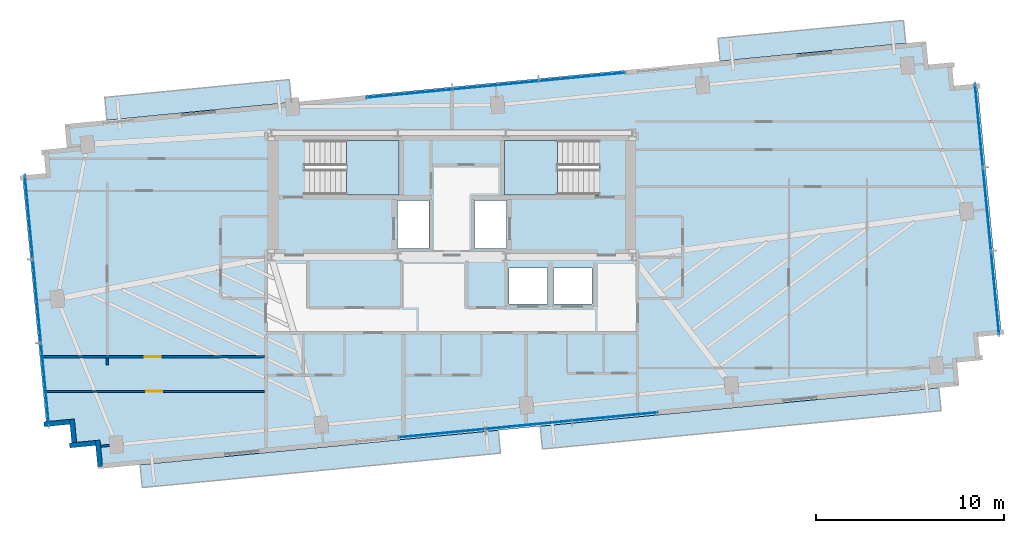
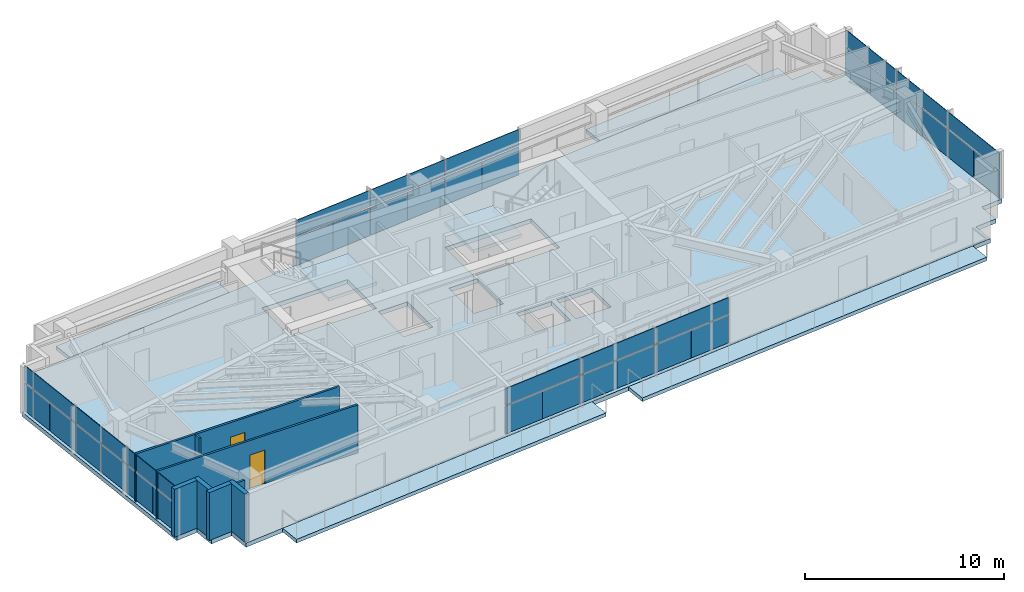
# One storey, part 12 of 18: 36 plates, 8 walls, 7 slabs, 2 doors, 2 openings, 6 elements without a shape of their own.
"""IFC4 building model written with IfcOpenShell, lengths in metres."""

import ifcopenshell
import ifcopenshell.guid

model = None  # the IFC model being written
_history = None  # IfcOwnerHistory: only IFC2X3 demands one
_inside = {}  # id of a spatial element -> (the spatial element, [elements in it])
_under = {}  # id of a project, library or spatial element -> (it, [spatial elements below it])
_declared = {}  # id of a project -> (the project, [libraries it declares])
_typed = {}  # id of a type object -> (the type object, [elements of that type])
_made_of = {}  # id of a material, layer set ... -> (it, [elements and type objects made of it])


def new_model(schema):
    """Start an empty IFC model of exactly this schema.

    Asked for "IFC4X3", IfcOpenShell would pick the latest addendum, in which some entities
    have other attributes; the version numbers below select the first issue.
    IFC2X3 requires an IfcOwnerHistory on every rooted entity: one is made here for all.
    """
    global model, _history
    if schema == "IFC4X3":
        model = ifcopenshell.file(schema_version=(4, 3, 0, 0))
    else:
        model = ifcopenshell.file(schema=schema)
    _inside.clear()
    _under.clear()
    _declared.clear()
    _typed.clear()
    _made_of.clear()
    _history = None
    if model.schema == "IFC2X3":
        org = make("IfcOrganization", Name="unknown")
        user = make(
            "IfcPersonAndOrganization",
            ThePerson=make("IfcPerson", FamilyName="unknown"),
            TheOrganization=org,
        )
        app = make(
            "IfcApplication",
            ApplicationDeveloper=org,
            Version="unknown",
            ApplicationFullName="unknown",
            ApplicationIdentifier="unknown",
        )
        _history = make(
            "IfcOwnerHistory",
            OwningUser=user,
            OwningApplication=app,
            ChangeAction="ADDED",
            CreationDate=0,
        )
    return model


def make(cls, **values):
    """One entity of the class cls with the attributes given. An attribute that is None is left unset."""
    return model.create_entity(
        cls, **{name: value for name, value in values.items() if value is not None}
    )


def rooted(cls, **values):
    """An entity with a GlobalId (a new one), such as an element, a storey or a relation."""
    return make(cls, GlobalId=ifcopenshell.guid.new(), OwnerHistory=_history, **values)


def si_unit(unit_type, name, prefix=None):
    """IfcSIUnit, for example si_unit("LENGTHUNIT", "METRE", prefix="MILLI")."""
    return make("IfcSIUnit", UnitType=unit_type, Prefix=prefix, Name=name)


def assignment(units):
    """IfcUnitAssignment: the units of a project."""
    return None if units is None else make("IfcUnitAssignment", Units=units)


def point(xyz):
    """IfcCartesianPoint."""
    return None if xyz is None else make("IfcCartesianPoint", Coordinates=xyz)


def direction(xyz):
    """IfcDirection."""
    return None if xyz is None else make("IfcDirection", DirectionRatios=xyz)


def frame(location, z_axis=None, x_axis=None):
    """IfcAxis2Placement3D, a coordinate frame: its origin and axes. An axis left out is left unset."""
    return make(
        "IfcAxis2Placement3D",
        Location=point(location),
        Axis=direction(z_axis),
        RefDirection=direction(x_axis),
    )


def frame_2d(location, x_axis=None):
    """IfcAxis2Placement2D, a coordinate frame in the plane: its origin and x axis."""
    return make(
        "IfcAxis2Placement2D", Location=point(location), RefDirection=direction(x_axis)
    )


def origin():
    """The frame at (0, 0, 0) with its axes left unset."""
    return frame((0.0, 0.0, 0.0))


def origin_2d():
    """The frame at (0, 0) in the plane with its x axis left unset."""
    return frame_2d((0.0, 0.0))


def place(relative_to, where):
    """IfcLocalPlacement: puts the frame where relative to a parent placement (None: the world)."""
    return make(
        "IfcLocalPlacement", PlacementRelTo=relative_to, RelativePlacement=where
    )


def context(
    kind, dimensions, precision=None, world=None, true_north=None, identifier=None
):
    """IfcGeometricRepresentationContext, for example the 3D "Model" context."""
    return make(
        "IfcGeometricRepresentationContext",
        ContextIdentifier=identifier,
        ContextType=kind,
        CoordinateSpaceDimension=dimensions,
        Precision=precision,
        WorldCoordinateSystem=world,
        TrueNorth=true_north,
    )


def subcontext(parent, identifier, kind, view, scale=None):
    """IfcGeometricRepresentationSubContext, for example "Body" below "Model"."""
    return make(
        "IfcGeometricRepresentationSubContext",
        ContextIdentifier=identifier,
        ContextType=kind,
        ParentContext=parent,
        TargetScale=scale,
        TargetView=view,
    )


def project(units=None, contexts=None):
    """IfcProject with its units and contexts."""
    return rooted(
        "IfcProject",
        Name="project",
        RepresentationContexts=contexts,
        UnitsInContext=assignment(units),
    )


def spatial(cls, under=None, at=None, **own):
    """A site, building, storey or space (cls), placed at a placement, below another one or the project."""
    s = rooted(cls, ObjectPlacement=at, **own)
    if under is not None:
        _under.setdefault(under.id(), (under, []))[1].append(s)
    return s


def polyline(points):
    """IfcPolyline through the points."""
    return make("IfcPolyline", Points=[point(p) for p in points])


def profile(cls, at=None, kind="AREA", **sizes):
    """A parametric profile (cls). Its sizes go by their IFC names, for example OverallWidth=200.0."""
    return make(cls, ProfileType=kind, Position=at, **sizes)


def rectangle(**sizes):
    """IfcRectangleProfileDef."""
    return profile("IfcRectangleProfileDef", **sizes)


def outline(outer, holes=None, kind="AREA"):
    """IfcArbitraryClosedProfileDef: a profile drawn as a closed curve; with holes, ...WithVoids."""
    if holes is None:
        return make("IfcArbitraryClosedProfileDef", ProfileType=kind, OuterCurve=outer)
    return make(
        "IfcArbitraryProfileDefWithVoids",
        ProfileType=kind,
        OuterCurve=outer,
        InnerCurves=holes,
    )


def extrude(swept, where, along, depth):
    """IfcExtrudedAreaSolid: the profile swept, set in the frame where, extruded along a direction by depth."""
    return make(
        "IfcExtrudedAreaSolid",
        SweptArea=swept,
        Position=where,
        ExtrudedDirection=direction(along),
        Depth=depth,
    )


def shape(context_of_items, identifier, shape_type, items):
    """IfcShapeRepresentation: the items that make up one representation, for example the "Body"."""
    return make(
        "IfcShapeRepresentation",
        ContextOfItems=context_of_items,
        RepresentationIdentifier=identifier,
        RepresentationType=shape_type,
        Items=items,
    )


def source(mapping_origin, context_of_items, identifier, shape_type, items):
    """IfcRepresentationMap: a shape defined once, which mapped items show again and again."""
    return make(
        "IfcRepresentationMap",
        MappingOrigin=mapping_origin,
        MappedRepresentation=shape(context_of_items, identifier, shape_type, items),
    )


def transform(
    local_origin,
    x_axis=None,
    y_axis=None,
    z_axis=None,
    scale=None,
    scale2=None,
    scale3=None,
    uniform=True,
):
    """IfcCartesianTransformationOperator3D, or its non-uniform kind. x_axis, y_axis, z_axis: its Axis1, 2, 3."""
    if uniform:
        return make(
            "IfcCartesianTransformationOperator3D",
            Axis1=direction(x_axis),
            Axis2=direction(y_axis),
            LocalOrigin=point(local_origin),
            Scale=scale,
            Axis3=direction(z_axis),
        )
    return make(
        "IfcCartesianTransformationOperator3DnonUniform",
        Axis1=direction(x_axis),
        Axis2=direction(y_axis),
        LocalOrigin=point(local_origin),
        Scale=scale,
        Axis3=direction(z_axis),
        Scale2=scale2,
        Scale3=scale3,
    )


def mapped(mapping_source, mapping_target):
    """IfcMappedItem: shows the shape of a source again, moved by a transform."""
    return make(
        "IfcMappedItem", MappingSource=mapping_source, MappingTarget=mapping_target
    )


def material(Name=None, Category=None):
    """IfcMaterial."""
    return make("IfcMaterial", Name=Name, Category=Category)


def layer(
    of_material, thickness, ventilated=None, Name=None, Category=None, Priority=None
):
    """IfcMaterialLayer: one layer of a wall or slab, of a material (None: an air gap)."""
    return make(
        "IfcMaterialLayer",
        Material=of_material,
        LayerThickness=thickness,
        IsVentilated=ventilated,
        Name=Name,
        Category=Category,
        Priority=Priority,
    )


def layer_set(layers, Name=None):
    """IfcMaterialLayerSet."""
    return make("IfcMaterialLayerSet", MaterialLayers=layers, LayerSetName=Name)


def made_of(thing, what):
    """Note that an element or type object is made of a material, layer set ...; save() writes the relation."""
    if what is not None:
        _made_of.setdefault(what.id(), (what, []))[1].append(thing)
    return thing


def type_object(cls, material=None, **own):
    """A type object (cls), such as IfcWallType, which elements share."""
    return made_of(rooted(cls, **own), material)


def type_shapes(of_type, sources):
    """Give a type object the sources (RepresentationMaps) that its elements show as mapped items."""
    of_type.RepresentationMaps = sources


def element(
    cls,
    number,
    at=None,
    inside=None,
    cuts=None,
    type_object=None,
    material=None,
    context=None,
    identifier="Body",
    shape_type=None,
    held_by="IfcProductDefinitionShape",
    body=None,
    shapes=None,
    **own,
):
    """One element of the class cls, such as IfcWall. Its Tag is "e" and its number.

    at: its placement. inside: the storey or other place that contains it. cuts: it is an
    opening in that element (IfcRelVoidsElement). A single representation is given by context,
    identifier, shape_type and body (its items); several are given by shapes. held_by: the class
    of the entity that holds the representations. save() writes the other relations.
    """
    e = rooted(cls, Tag="e%d" % number, ObjectPlacement=at, **own)
    if body is not None:
        shapes = [shape(context, identifier, shape_type, body)]
    if shapes is not None:
        e.Representation = make(held_by, Representations=shapes)
    if inside is not None:
        _inside.setdefault(inside.id(), (inside, []))[1].append(e)
    if cuts is not None:
        rooted(
            "IfcRelVoidsElement", RelatingBuildingElement=cuts, RelatedOpeningElement=e
        )
    if type_object is not None:
        _typed.setdefault(type_object.id(), (type_object, []))[1].append(e)
    return made_of(e, material)


def fill(opening, filler):
    """IfcRelFillsElement: the door or window that sits in an opening."""
    return rooted(
        "IfcRelFillsElement",
        RelatingOpeningElement=opening,
        RelatedBuildingElement=filler,
    )


def aggregate(whole, parts):
    """IfcRelAggregates: a whole, such as a stair, and the parts it consists of."""
    return rooted("IfcRelAggregates", RelatingObject=whole, RelatedObjects=parts)


def save(model, path):
    """Write the relations noted so far, then the file.

    IfcRelAggregates (storeys below a building ...), IfcRelContainedInSpatialStructure (elements
    in a storey), IfcRelDefinesByType, IfcRelAssociatesMaterial and IfcRelDeclares: one each for
    every whole, place, type object, material and project.
    """
    for whole, parts in _under.values():
        aggregate(whole, parts)
    for where, things in _inside.values():
        rooted(
            "IfcRelContainedInSpatialStructure",
            RelatedElements=things,
            RelatingStructure=where,
        )
    for kind, things in _typed.values():
        rooted("IfcRelDefinesByType", RelatedObjects=things, RelatingType=kind)
    for what, things in _made_of.values():
        rooted("IfcRelAssociatesMaterial", RelatedObjects=things, RelatingMaterial=what)
    for by, libraries in _declared.values():
        rooted("IfcRelDeclares", RelatingContext=by, RelatedDefinitions=libraries)
    model.write(path)


model = new_model("IFC4")

# Units and contexts
model_context = context("Model", 3, precision=1e-05, world=origin(), true_north=direction((0.0, 1.0)))
body_context = subcontext(model_context, "Body", "Model", "MODEL_VIEW")
ifc_project = project(units=[si_unit("LENGTHUNIT", "METRE"), si_unit("AREAUNIT", "SQUARE_METRE"), si_unit("VOLUMEUNIT", "CUBIC_METRE"), si_unit("PLANEANGLEUNIT", "RADIAN"), si_unit("MASSUNIT", "GRAM", prefix="KILO")], contexts=[model_context])

# Site, building, storey
site_placement = place(None, origin())
site = spatial("IfcSite", under=ifc_project, at=site_placement, CompositionType="ELEMENT")
building_placement = place(site_placement, origin())
building = spatial("IfcBuilding", under=site, at=building_placement, Name="Astriad Promenade Condominiums", CompositionType="ELEMENT")
storey_placement = place(building_placement, frame((0.0, 0.0, 198.60009765625)))
storey = spatial("IfcBuildingStorey", under=building, at=storey_placement, Name="L57", CompositionType="ELEMENT", Elevation=198.60009765625)

# Slab
ifc_material_1 = material(Name="Concrete C50/60", Category="concrete")
ifc_layer_1 = layer(ifc_material_1, 0.260009765625)
ifc_layer_set_1 = layer_set([ifc_layer_1], Name="Concrete C50/60")
slab_type_1 = type_object("IfcSlabType", Name="CONCRETE TOWER FLOOR SLAB 260", PredefinedType="FLOOR", material=ifc_layer_set_1)
slab_1_placement = place(storey_placement, frame((0.0, 0.0, -0.260009765625)))
element("IfcSlab", 1, at=slab_1_placement, inside=storey, type_object=slab_type_1, Name="Structural Floor Slab (L57)", PredefinedType="FLOOR", context=body_context, shape_type="SweptSolid", body=[
    extrude(outline(polyline([(17.187744140625, 6.137939453125), (62.975830078125, 10.546875), (62.856201171875, 11.791015625), (64.100341796875, 11.910888671875), (63.98046875, 13.155029296875), (65.224853515625, 13.27490234375), (63.9404296875, 26.61328125), (62.6962890625, 26.493408203125), (62.576416015625, 27.73779296875), (61.33203125, 27.617919921875), (61.21240234375, 28.862060546875), (15.424072265625, 24.453125), (15.5439453125, 23.208984375), (14.2998046875, 23.089111328125), (14.41943359375, 21.844970703125), (13.17529296875, 21.72509765625), (14.459716796875, 8.38671875), (15.703857421875, 8.506591796875), (15.823486328125, 7.26220703125), (17.06787109375, 7.382080078125), (17.187744140625, 6.137939453125)]), holes=[polyline([(28.175048828125, 20.699951171875), (33.175048828125, 20.699951171875), (33.175048828125, 23.60009765625), (28.175048828125, 23.60009765625), (28.175048828125, 20.699951171875)]), polyline([(38.824951171875, 20.699951171875), (43.824951171875, 20.699951171875), (43.824951171875, 23.60009765625), (38.824951171875, 23.60009765625), (38.824951171875, 20.699951171875)]), polyline([(33.10009765625, 17.85009765625), (34.800048828125, 17.85009765625), (34.800048828125, 20.39990234375), (33.10009765625, 20.39990234375), (33.10009765625, 17.85009765625)]), polyline([(37.199951171875, 17.85009765625), (38.89990234375, 17.85009765625), (38.89990234375, 20.39990234375), (37.199951171875, 20.39990234375), (37.199951171875, 17.85009765625)]), polyline([(39.050048828125, 14.89990234375), (41.10009765625, 14.89990234375), (41.10009765625, 16.800048828125), (39.050048828125, 16.800048828125), (39.050048828125, 14.89990234375)]), polyline([(41.39990234375, 14.89990234375), (43.449951171875, 14.89990234375), (43.449951171875, 16.800048828125), (41.39990234375, 16.800048828125), (41.39990234375, 14.89990234375)])]), origin(), (0.0, 0.0, 1.0), 0.260009765625),
])

# Stair, slab
stair_type = type_object("IfcStairType", Name="STR-CORE-1350", PredefinedType="HALF_TURN_STAIR", material=ifc_material_1)
stair_1_placement = place(storey_placement, origin())
stair_1 = element("IfcStair", 2, at=stair_1_placement, inside=storey, type_object=stair_type, Name="L57 Enclosed Core Exit Stair ST-1", PredefinedType="HALF_TURN_STAIR")
ifc_layer_2 = layer(ifc_material_1, 0.219970703125)
ifc_layer_set_2 = layer_set([ifc_layer_2], Name="Concrete C50/60")
slab_type_2 = type_object("IfcSlabType", Name="SLB-LANDING-220", PredefinedType="LANDING", material=ifc_layer_set_2)
slab_2_placement = place(storey_placement, frame((0.0, 0.0, 1.39990234375)))
slab_2 = element("IfcSlab", 3, at=slab_2_placement, type_object=slab_type_2, Name="ST-1 landing 1", PredefinedType="LANDING", context=body_context, shape_type="SweptSolid", body=[
    extrude(outline(polyline([(30.389892578125, 20.699951171875), (33.199951171875, 20.699951171875), (33.199951171875, 23.60009765625), (30.389892578125, 23.60009765625), (30.389892578125, 20.699951171875)])), origin(), (0.0, 0.0, 1.0), 0.199951171875),
])
aggregate(stair_1, [slab_2])

stair_2_placement = place(storey_placement, origin())
stair_2 = element("IfcStair", 4, at=stair_2_placement, inside=storey, type_object=stair_type, Name="L57 Enclosed Core Exit Stair ST-2", PredefinedType="HALF_TURN_STAIR")
slab_3_placement = place(storey_placement, frame((0.0, 0.0, 1.39990234375)))
slab_3 = element("IfcSlab", 5, at=slab_3_placement, type_object=slab_type_2, Name="ST-2 landing 1", PredefinedType="LANDING", context=body_context, shape_type="SweptSolid", body=[
    extrude(outline(polyline([(41.610107421875, 23.60009765625), (38.800048828125, 23.60009765625), (38.800048828125, 20.699951171875), (41.610107421875, 20.699951171875), (41.610107421875, 23.60009765625)])), origin(), (0.0, 0.0, 1.0), 0.199951171875),
])
aggregate(stair_2, [slab_3])

# Slabs
ifc_material_2 = material(Name="Precast concrete C50/60", Category="concrete")
ifc_layer_3 = layer(ifc_material_2, 0.219970703125)
ifc_layer_set_3 = layer_set([ifc_layer_3], Name="Precast concrete C50/60")
slab_type_3 = type_object("IfcSlabType", Name="WHITE PRECAST CONCRETE WAVE BALCONY SLAB 220", PredefinedType="FLOOR", material=ifc_layer_set_3)
slab_4_placement = place(storey_placement, frame((0.0, 0.0, -0.22021484375)))
element("IfcSlab", 6, at=slab_4_placement, inside=storey, type_object=slab_type_3, Name="White Precast Wave Balcony Slab BAL-L57-SW", PredefinedType="FLOOR", context=body_context, shape_type="SweptSolid", body=[
    extrude(outline(polyline([(38.588134765625, 6.972900390625), (19.546142578125, 5.139404296875), (19.429443359375, 6.351806640625), (38.471435546875, 8.185302734375), (38.588134765625, 6.972900390625)])), origin(), (0.0, 0.0, 1.0), 0.22021484375),
])
slab_5_placement = place(storey_placement, frame((0.0, 0.0, -0.22021484375)))
element("IfcSlab", 7, at=slab_5_placement, inside=storey, type_object=slab_type_3, Name="White Precast Wave Balcony Slab BAL-L57-SE", PredefinedType="FLOOR", context=body_context, shape_type="SweptSolid", body=[
    extrude(outline(polyline([(62.0087890625, 9.22802734375), (40.81884765625, 7.187744140625), (40.7021484375, 8.400146484375), (61.89208984375, 10.4404296875), (62.0087890625, 9.22802734375)])), origin(), (0.0, 0.0, 1.0), 0.22021484375),
])
slab_6_placement = place(storey_placement, frame((0.0, 0.0, -0.22021484375)))
element("IfcSlab", 8, at=slab_6_placement, inside=storey, type_object=slab_type_3, Name="White Precast Wave Balcony Slab BAL-L57-NW", PredefinedType="FLOOR", context=body_context, shape_type="SweptSolid", body=[
    extrude(outline(polyline([(17.548828125, 25.88330078125), (27.361328125, 26.828369140625), (27.478271484375, 25.615966796875), (17.66552734375, 24.6708984375), (17.548828125, 25.88330078125)])), origin(), (0.0, 0.0, 1.0), 0.22021484375),
])
slab_7_placement = place(storey_placement, frame((0.0, 0.0, -0.22021484375)))
element("IfcSlab", 9, at=slab_7_placement, inside=storey, type_object=slab_type_3, Name="White Precast Wave Balcony Slab BAL-L57-NE", PredefinedType="FLOOR", context=body_context, shape_type="SweptSolid", body=[
    extrude(outline(polyline([(50.14599609375, 29.022216796875), (60.011474609375, 29.97216796875), (60.128173828125, 28.759765625), (50.2626953125, 27.809814453125), (50.14599609375, 29.022216796875)])), origin(), (0.0, 0.0, 1.0), 0.22021484375),
])

# Curtain wall, plates
ifc_material_3 = material(Name="Anodised aluminium Black Dark Glass Unitised", Category="aluminium")
curtain_wall_type = type_object("IfcCurtainWallType", Name="CW-B34-DARK", PredefinedType="USERDEFINED", material=ifc_material_3)
curtain_wall_1_placement = place(storey_placement, origin())
curtain_wall_1 = element("IfcCurtainWall", 10, at=curtain_wall_1_placement, inside=storey, type_object=curtain_wall_type, Name="CW-L57-W", ObjectType="UNITISED_CURTAIN_WALL", PredefinedType="USERDEFINED")
ifc_material_4 = material(Name="Dark Tinted Low-E Laminated Glass", Category="glass")
ifc_layer_4 = layer(ifc_material_4, 0.035888671875)
ifc_layer_set_4 = layer_set([ifc_layer_4], Name="Dark Tinted Low-E Laminated Glass")
plate_type = type_object("IfcPlateType", Name="PNL-DARK-GLASS-36", PredefinedType="CURTAIN_PANEL", material=ifc_layer_set_4)
shared_shape_1 = source(origin(), body_context, "Body", "SweptSolid", [
    extrude(rectangle(XDim=2.22119140625, YDim=0.035888671875, at=origin_2d()), origin(), (0.0, 0.0, 1.0), 1.702880859375),
])
plate_1_placement = place(storey_placement, frame((14.48193359375, 9.5107421875, 0.080078125), z_axis=(0.0, 0.0, 1.0), x_axis=(-0.09584575252, 0.995396198367, 0.0)))
plate_1 = element("IfcPlate", 11, at=plate_1_placement, type_object=plate_type, Name="CW-L57-W-PNL-00-VL", PredefinedType="CURTAIN_PANEL", context=body_context, shape_type="MappedRepresentation", body=[
    mapped(shared_shape_1, transform((0.0, 0.0, 0.0), scale=1.0)),
])
plate_2_placement = place(storey_placement, frame((14.267822265625, 11.73388671875, 0.080078125), z_axis=(0.0, 0.0, 1.0), x_axis=(-0.09584575252, 0.995396198367, 0.0)))
plate_2 = element("IfcPlate", 12, at=plate_2_placement, type_object=plate_type, Name="CW-L57-W-PNL-00-VR", PredefinedType="CURTAIN_PANEL", context=body_context, shape_type="MappedRepresentation", body=[
    mapped(shared_shape_1, transform((0.0, 0.0, 0.0), scale=1.0)),
])
plate_3_placement = place(storey_placement, frame((14.053955078125, 13.956787109375, 0.080078125), z_axis=(0.0, 0.0, 1.0), x_axis=(-0.09584575252, 0.995396198367, 0.0)))
plate_3 = element("IfcPlate", 13, at=plate_3_placement, type_object=plate_type, Name="CW-L57-W-PNL-01-VL", PredefinedType="CURTAIN_PANEL", context=body_context, shape_type="MappedRepresentation", body=[
    mapped(shared_shape_1, transform((0.0, 0.0, 0.0), scale=1.0)),
])
plate_4_placement = place(storey_placement, frame((13.839599609375, 16.179931640625, 0.080078125), z_axis=(0.0, 0.0, 1.0), x_axis=(-0.09584575252, 0.995396198367, 0.0)))
plate_4 = element("IfcPlate", 14, at=plate_4_placement, type_object=plate_type, Name="CW-L57-W-PNL-01-VR", PredefinedType="CURTAIN_PANEL", context=body_context, shape_type="MappedRepresentation", body=[
    mapped(shared_shape_1, transform((0.0, 0.0, 0.0), scale=1.0)),
])
plate_5_placement = place(storey_placement, frame((13.625732421875, 18.403076171875, 0.080078125), z_axis=(0.0, 0.0, 1.0), x_axis=(-0.09584575252, 0.995396198367, 0.0)))
plate_5 = element("IfcPlate", 15, at=plate_5_placement, type_object=plate_type, Name="CW-L57-W-PNL-02-VL", PredefinedType="CURTAIN_PANEL", context=body_context, shape_type="MappedRepresentation", body=[
    mapped(shared_shape_1, transform((0.0, 0.0, 0.0), scale=1.0)),
])
plate_6_placement = place(storey_placement, frame((13.41162109375, 20.626220703125, 0.080078125), z_axis=(0.0, 0.0, 1.0), x_axis=(-0.09584575252, 0.995396198367, 0.0)))
plate_6 = element("IfcPlate", 16, at=plate_6_placement, type_object=plate_type, Name="CW-L57-W-PNL-02-VR", PredefinedType="CURTAIN_PANEL", context=body_context, shape_type="MappedRepresentation", body=[
    mapped(shared_shape_1, transform((0.0, 0.0, 0.0), scale=1.0)),
])

curtain_wall_2_placement = place(storey_placement, origin())
curtain_wall_2 = element("IfcCurtainWall", 17, at=curtain_wall_2_placement, inside=storey, type_object=curtain_wall_type, Name="CW-L57-E", ObjectType="UNITISED_CURTAIN_WALL", PredefinedType="USERDEFINED")
plate_7_placement = place(storey_placement, frame((63.91796875, 25.4892578125, 0.080078125), z_axis=(0.0, 0.0, 1.0), x_axis=(0.09584575252, -0.995396198367, 0.0)))
plate_7 = element("IfcPlate", 18, at=plate_7_placement, type_object=plate_type, Name="CW-L57-E-PNL-00-VL", PredefinedType="CURTAIN_PANEL", context=body_context, shape_type="MappedRepresentation", body=[
    mapped(shared_shape_1, transform((0.0, 0.0, 0.0), scale=1.0)),
])
plate_8_placement = place(storey_placement, frame((64.132080078125, 23.26611328125, 0.080078125), z_axis=(0.0, 0.0, 1.0), x_axis=(0.09584575252, -0.995396198367, 0.0)))
plate_8 = element("IfcPlate", 19, at=plate_8_placement, type_object=plate_type, Name="CW-L57-E-PNL-00-VR", PredefinedType="CURTAIN_PANEL", context=body_context, shape_type="MappedRepresentation", body=[
    mapped(shared_shape_1, transform((0.0, 0.0, 0.0), scale=1.0)),
])
plate_9_placement = place(storey_placement, frame((64.34619140625, 21.043212890625, 0.080078125), z_axis=(0.0, 0.0, 1.0), x_axis=(0.09584575252, -0.995396198367, 0.0)))
plate_9 = element("IfcPlate", 20, at=plate_9_placement, type_object=plate_type, Name="CW-L57-E-PNL-01-VL", PredefinedType="CURTAIN_PANEL", context=body_context, shape_type="MappedRepresentation", body=[
    mapped(shared_shape_1, transform((0.0, 0.0, 0.0), scale=1.0)),
])
plate_10_placement = place(storey_placement, frame((64.560302734375, 18.820068359375, 0.080078125), z_axis=(0.0, 0.0, 1.0), x_axis=(0.09584575252, -0.995396198367, 0.0)))
plate_10 = element("IfcPlate", 21, at=plate_10_placement, type_object=plate_type, Name="CW-L57-E-PNL-01-VR", PredefinedType="CURTAIN_PANEL", context=body_context, shape_type="MappedRepresentation", body=[
    mapped(shared_shape_1, transform((0.0, 0.0, 0.0), scale=1.0)),
])
plate_11_placement = place(storey_placement, frame((64.7744140625, 16.596923828125, 0.080078125), z_axis=(0.0, 0.0, 1.0), x_axis=(0.09584575252, -0.995396198367, 0.0)))
plate_11 = element("IfcPlate", 22, at=plate_11_placement, type_object=plate_type, Name="CW-L57-E-PNL-02-VL", PredefinedType="CURTAIN_PANEL", context=body_context, shape_type="MappedRepresentation", body=[
    mapped(shared_shape_1, transform((0.0, 0.0, 0.0), scale=1.0)),
])
plate_12_placement = place(storey_placement, frame((64.98828125, 14.373779296875, 0.080078125), z_axis=(0.0, 0.0, 1.0), x_axis=(0.09584575252, -0.995396198367, 0.0)))
plate_12 = element("IfcPlate", 23, at=plate_12_placement, type_object=plate_type, Name="CW-L57-E-PNL-02-VR", PredefinedType="CURTAIN_PANEL", context=body_context, shape_type="MappedRepresentation", body=[
    mapped(shared_shape_1, transform((0.0, 0.0, 0.0), scale=1.0)),
])

# Plate
shared_shape_2 = source(origin(), body_context, "Body", "SweptSolid", [
    extrude(rectangle(XDim=4.45458984375, YDim=0.035888671875, at=origin_2d()), origin(), (0.0, 0.0, 1.0), 0.997314453125),
])
plate_13_placement = place(storey_placement, frame((14.375, 10.622314453125, 1.86279296875), z_axis=(0.0, 0.0, 1.0), x_axis=(-0.09584575252, 0.995396198367, 0.0)))
plate_13 = element("IfcPlate", 24, at=plate_13_placement, type_object=plate_type, Name="CW-L57-W-PNL-00-S", PredefinedType="CURTAIN_PANEL", context=body_context, shape_type="MappedRepresentation", body=[
    mapped(shared_shape_2, transform((0.0, 0.0, 0.0), scale=1.0)),
])

plate_14_placement = place(storey_placement, frame((13.94677734375, 15.068359375, 1.86279296875), z_axis=(0.0, 0.0, 1.0), x_axis=(-0.09584575252, 0.995396198367, 0.0)))
plate_14 = element("IfcPlate", 25, at=plate_14_placement, type_object=plate_type, Name="CW-L57-W-PNL-01-S", PredefinedType="CURTAIN_PANEL", context=body_context, shape_type="MappedRepresentation", body=[
    mapped(shared_shape_2, transform((0.0, 0.0, 0.0), scale=1.0)),
])

plate_15_placement = place(storey_placement, frame((13.518798828125, 19.514404296875, 1.86279296875), z_axis=(0.0, 0.0, 1.0), x_axis=(-0.09584575252, 0.995396198367, 0.0)))
plate_15 = element("IfcPlate", 26, at=plate_15_placement, type_object=plate_type, Name="CW-L57-W-PNL-02-S", PredefinedType="CURTAIN_PANEL", context=body_context, shape_type="MappedRepresentation", body=[
    mapped(shared_shape_2, transform((0.0, 0.0, 0.0), scale=1.0)),
])

aggregate(curtain_wall_1, [plate_1, plate_2, plate_13, plate_3, plate_4, plate_14, plate_5, plate_6, plate_15])

plate_16_placement = place(storey_placement, frame((64.02490234375, 24.377685546875, 1.86279296875), z_axis=(0.0, 0.0, 1.0), x_axis=(0.09584575252, -0.995396198367, 0.0)))
plate_16 = element("IfcPlate", 27, at=plate_16_placement, type_object=plate_type, Name="CW-L57-E-PNL-00-S", PredefinedType="CURTAIN_PANEL", context=body_context, shape_type="MappedRepresentation", body=[
    mapped(shared_shape_2, transform((0.0, 0.0, 0.0), scale=1.0)),
])

plate_17_placement = place(storey_placement, frame((64.453125, 19.931640625, 1.86279296875), z_axis=(0.0, 0.0, 1.0), x_axis=(0.09584575252, -0.995396198367, 0.0)))
plate_17 = element("IfcPlate", 28, at=plate_17_placement, type_object=plate_type, Name="CW-L57-E-PNL-01-S", PredefinedType="CURTAIN_PANEL", context=body_context, shape_type="MappedRepresentation", body=[
    mapped(shared_shape_2, transform((0.0, 0.0, 0.0), scale=1.0)),
])

plate_18_placement = place(storey_placement, frame((64.88134765625, 15.485595703125, 1.86279296875), z_axis=(0.0, 0.0, 1.0), x_axis=(0.09584575252, -0.995396198367, 0.0)))
plate_18 = element("IfcPlate", 29, at=plate_18_placement, type_object=plate_type, Name="CW-L57-E-PNL-02-S", PredefinedType="CURTAIN_PANEL", context=body_context, shape_type="MappedRepresentation", body=[
    mapped(shared_shape_2, transform((0.0, 0.0, 0.0), scale=1.0)),
])

aggregate(curtain_wall_2, [plate_7, plate_8, plate_16, plate_9, plate_10, plate_17, plate_11, plate_12, plate_18])

# Curtain wall, plates
curtain_wall_3_placement = place(storey_placement, origin())
curtain_wall_3 = element("IfcCurtainWall", 30, at=curtain_wall_3_placement, inside=storey, type_object=curtain_wall_type, Name="CW-L57-N", ObjectType="UNITISED_CURTAIN_WALL", PredefinedType="USERDEFINED")
shared_shape_3 = source(origin(), body_context, "Body", "SweptSolid", [
    extrude(rectangle(XDim=2.2880859375, YDim=0.035888671875, at=origin_2d()), origin(), (0.0, 0.0, 1.0), 1.702880859375),
])
plate_19_placement = place(storey_placement, frame((32.607177734375, 25.97705078125, 0.080078125), z_axis=(0.0, 0.0, 1.0), x_axis=(0.995396198367, 0.09584575252, 0.0)))
plate_19 = element("IfcPlate", 31, at=plate_19_placement, type_object=plate_type, Name="CW-L57-N-PNL-00-VL", PredefinedType="CURTAIN_PANEL", context=body_context, shape_type="MappedRepresentation", body=[
    mapped(shared_shape_3, transform((0.0, 0.0, 0.0), scale=1.0)),
])
plate_20_placement = place(storey_placement, frame((34.896484375, 26.197509765625, 0.080078125), z_axis=(0.0, 0.0, 1.0), x_axis=(0.995396198367, 0.09584575252, 0.0)))
plate_20 = element("IfcPlate", 32, at=plate_20_placement, type_object=plate_type, Name="CW-L57-N-PNL-00-VR", PredefinedType="CURTAIN_PANEL", context=body_context, shape_type="MappedRepresentation", body=[
    mapped(shared_shape_3, transform((0.0, 0.0, 0.0), scale=1.0)),
])
plate_21_placement = place(storey_placement, frame((37.18603515625, 26.41796875, 0.080078125), z_axis=(0.0, 0.0, 1.0), x_axis=(0.995396198367, 0.09584575252, 0.0)))
plate_21 = element("IfcPlate", 33, at=plate_21_placement, type_object=plate_type, Name="CW-L57-N-PNL-01-VL", PredefinedType="CURTAIN_PANEL", context=body_context, shape_type="MappedRepresentation", body=[
    mapped(shared_shape_3, transform((0.0, 0.0, 0.0), scale=1.0)),
])
plate_22_placement = place(storey_placement, frame((39.475341796875, 26.638427734375, 0.080078125), z_axis=(0.0, 0.0, 1.0), x_axis=(0.995396198367, 0.09584575252, 0.0)))
plate_22 = element("IfcPlate", 34, at=plate_22_placement, type_object=plate_type, Name="CW-L57-N-PNL-01-VR", PredefinedType="CURTAIN_PANEL", context=body_context, shape_type="MappedRepresentation", body=[
    mapped(shared_shape_3, transform((0.0, 0.0, 0.0), scale=1.0)),
])
plate_23_placement = place(storey_placement, frame((41.764892578125, 26.85888671875, 0.080078125), z_axis=(0.0, 0.0, 1.0), x_axis=(0.995396198367, 0.09584575252, 0.0)))
plate_23 = element("IfcPlate", 35, at=plate_23_placement, type_object=plate_type, Name="CW-L57-N-PNL-02-VL", PredefinedType="CURTAIN_PANEL", context=body_context, shape_type="MappedRepresentation", body=[
    mapped(shared_shape_3, transform((0.0, 0.0, 0.0), scale=1.0)),
])
plate_24_placement = place(storey_placement, frame((44.05419921875, 27.079345703125, 0.080078125), z_axis=(0.0, 0.0, 1.0), x_axis=(0.995396198367, 0.09584575252, 0.0)))
plate_24 = element("IfcPlate", 36, at=plate_24_placement, type_object=plate_type, Name="CW-L57-N-PNL-02-VR", PredefinedType="CURTAIN_PANEL", context=body_context, shape_type="MappedRepresentation", body=[
    mapped(shared_shape_3, transform((0.0, 0.0, 0.0), scale=1.0)),
])

curtain_wall_4_placement = place(storey_placement, origin())
curtain_wall_4 = element("IfcCurtainWall", 37, at=curtain_wall_4_placement, inside=storey, type_object=curtain_wall_type, Name="CW-L57-S", ObjectType="UNITISED_CURTAIN_WALL", PredefinedType="USERDEFINED")
plate_25_placement = place(storey_placement, frame((45.792724609375, 9.02294921875, 0.080078125), z_axis=(0.0, 0.0, 1.0), x_axis=(-0.995396198367, -0.09584575252, 0.0)))
plate_25 = element("IfcPlate", 38, at=plate_25_placement, type_object=plate_type, Name="CW-L57-S-PNL-00-VL", PredefinedType="CURTAIN_PANEL", context=body_context, shape_type="MappedRepresentation", body=[
    mapped(shared_shape_3, transform((0.0, 0.0, 0.0), scale=1.0)),
])
plate_26_placement = place(storey_placement, frame((43.50341796875, 8.802490234375, 0.080078125), z_axis=(0.0, 0.0, 1.0), x_axis=(-0.995396198367, -0.09584575252, 0.0)))
plate_26 = element("IfcPlate", 39, at=plate_26_placement, type_object=plate_type, Name="CW-L57-S-PNL-00-VR", PredefinedType="CURTAIN_PANEL", context=body_context, shape_type="MappedRepresentation", body=[
    mapped(shared_shape_3, transform((0.0, 0.0, 0.0), scale=1.0)),
])
plate_27_placement = place(storey_placement, frame((41.214111328125, 8.58203125, 0.080078125), z_axis=(0.0, 0.0, 1.0), x_axis=(-0.995396198367, -0.09584575252, 0.0)))
plate_27 = element("IfcPlate", 40, at=plate_27_placement, type_object=plate_type, Name="CW-L57-S-PNL-01-VL", PredefinedType="CURTAIN_PANEL", context=body_context, shape_type="MappedRepresentation", body=[
    mapped(shared_shape_3, transform((0.0, 0.0, 0.0), scale=1.0)),
])
plate_28_placement = place(storey_placement, frame((38.924560546875, 8.361572265625, 0.080078125), z_axis=(0.0, 0.0, 1.0), x_axis=(-0.995396198367, -0.09584575252, 0.0)))
plate_28 = element("IfcPlate", 41, at=plate_28_placement, type_object=plate_type, Name="CW-L57-S-PNL-01-VR", PredefinedType="CURTAIN_PANEL", context=body_context, shape_type="MappedRepresentation", body=[
    mapped(shared_shape_3, transform((0.0, 0.0, 0.0), scale=1.0)),
])
plate_29_placement = place(storey_placement, frame((36.63525390625, 8.14111328125, 0.080078125), z_axis=(0.0, 0.0, 1.0), x_axis=(-0.995396198367, -0.09584575252, 0.0)))
plate_29 = element("IfcPlate", 42, at=plate_29_placement, type_object=plate_type, Name="CW-L57-S-PNL-02-VL", PredefinedType="CURTAIN_PANEL", context=body_context, shape_type="MappedRepresentation", body=[
    mapped(shared_shape_3, transform((0.0, 0.0, 0.0), scale=1.0)),
])
plate_30_placement = place(storey_placement, frame((34.345703125, 7.920654296875, 0.080078125), z_axis=(0.0, 0.0, 1.0), x_axis=(-0.995396198367, -0.09584575252, 0.0)))
plate_30 = element("IfcPlate", 43, at=plate_30_placement, type_object=plate_type, Name="CW-L57-S-PNL-02-VR", PredefinedType="CURTAIN_PANEL", context=body_context, shape_type="MappedRepresentation", body=[
    mapped(shared_shape_3, transform((0.0, 0.0, 0.0), scale=1.0)),
])

# Plate
shared_shape_4 = source(origin(), body_context, "Body", "SweptSolid", [
    extrude(rectangle(XDim=4.587890625, YDim=0.035888671875, at=origin_2d()), origin(), (0.0, 0.0, 1.0), 0.997314453125),
])
type_shapes(plate_type, [shared_shape_1, shared_shape_2, shared_shape_3, shared_shape_4])
plate_31_placement = place(storey_placement, frame((33.751953125, 26.08740234375, 1.86279296875), z_axis=(0.0, 0.0, 1.0), x_axis=(0.995396198367, 0.09584575252, 0.0)))
plate_31 = element("IfcPlate", 44, at=plate_31_placement, type_object=plate_type, Name="CW-L57-N-PNL-00-S", PredefinedType="CURTAIN_PANEL", context=body_context, shape_type="MappedRepresentation", body=[
    mapped(shared_shape_4, transform((0.0, 0.0, 0.0), scale=1.0)),
])

plate_32_placement = place(storey_placement, frame((38.330810546875, 26.5283203125, 1.86279296875), z_axis=(0.0, 0.0, 1.0), x_axis=(0.995396198367, 0.09584575252, 0.0)))
plate_32 = element("IfcPlate", 45, at=plate_32_placement, type_object=plate_type, Name="CW-L57-N-PNL-01-S", PredefinedType="CURTAIN_PANEL", context=body_context, shape_type="MappedRepresentation", body=[
    mapped(shared_shape_4, transform((0.0, 0.0, 0.0), scale=1.0)),
])

plate_33_placement = place(storey_placement, frame((42.909423828125, 26.968994140625, 1.86279296875), z_axis=(0.0, 0.0, 1.0), x_axis=(0.995396198367, 0.09584575252, 0.0)))
plate_33 = element("IfcPlate", 46, at=plate_33_placement, type_object=plate_type, Name="CW-L57-N-PNL-02-S", PredefinedType="CURTAIN_PANEL", context=body_context, shape_type="MappedRepresentation", body=[
    mapped(shared_shape_4, transform((0.0, 0.0, 0.0), scale=1.0)),
])

aggregate(curtain_wall_3, [plate_19, plate_20, plate_31, plate_21, plate_22, plate_32, plate_23, plate_24, plate_33])

plate_34_placement = place(storey_placement, frame((44.648193359375, 8.91259765625, 1.86279296875), z_axis=(0.0, 0.0, 1.0), x_axis=(-0.995396198367, -0.09584575252, 0.0)))
plate_34 = element("IfcPlate", 47, at=plate_34_placement, type_object=plate_type, Name="CW-L57-S-PNL-00-S", PredefinedType="CURTAIN_PANEL", context=body_context, shape_type="MappedRepresentation", body=[
    mapped(shared_shape_4, transform((0.0, 0.0, 0.0), scale=1.0)),
])

plate_35_placement = place(storey_placement, frame((40.0693359375, 8.4716796875, 1.86279296875), z_axis=(0.0, 0.0, 1.0), x_axis=(-0.995396198367, -0.09584575252, 0.0)))
plate_35 = element("IfcPlate", 48, at=plate_35_placement, type_object=plate_type, Name="CW-L57-S-PNL-01-S", PredefinedType="CURTAIN_PANEL", context=body_context, shape_type="MappedRepresentation", body=[
    mapped(shared_shape_4, transform((0.0, 0.0, 0.0), scale=1.0)),
])

plate_36_placement = place(storey_placement, frame((35.490478515625, 8.031005859375, 1.86279296875), z_axis=(0.0, 0.0, 1.0), x_axis=(-0.995396198367, -0.09584575252, 0.0)))
plate_36 = element("IfcPlate", 49, at=plate_36_placement, type_object=plate_type, Name="CW-L57-S-PNL-02-S", PredefinedType="CURTAIN_PANEL", context=body_context, shape_type="MappedRepresentation", body=[
    mapped(shared_shape_4, transform((0.0, 0.0, 0.0), scale=1.0)),
])

aggregate(curtain_wall_4, [plate_25, plate_26, plate_34, plate_27, plate_28, plate_35, plate_29, plate_30, plate_36])

# Walls
ifc_layer_5 = layer(ifc_material_2, 0.260009765625)
ifc_layer_set_5 = layer_set([ifc_layer_5], Name="Precast concrete C50/60")
wall_type_1 = type_object("IfcWallType", Name="WALL-EXT-TWR-260", PredefinedType="STANDARD", material=ifc_layer_set_5)
wall_1_placement = place(storey_placement, frame((17.0703125, 7.512939453125, 0.0), z_axis=(0.0, 0.0, 1.0), x_axis=(-0.995391056452, -0.09589913835, 0.0)))
element("IfcWall", 50, at=wall_1_placement, inside=storey, type_object=wall_type_1, Name="W-SER-L57-00", PredefinedType="STANDARD", context=body_context, shape_type="SweptSolid", body=[
    extrude(rectangle(XDim=1.39501953125, YDim=0.260009765625, at=frame_2d((0.697509765625, 0.0))), origin(), (0.0, 0.0, 1.0), 2.93994140625),
])
wall_2_placement = place(storey_placement, frame((15.94189453125, 7.389404296875, 0.0), z_axis=(0.0, 0.0, 1.0), x_axis=(-0.095742423056, 0.99540614245, 0.0)))
element("IfcWall", 51, at=wall_2_placement, inside=storey, type_object=wall_type_1, Name="W-SER-L57-01", PredefinedType="STANDARD", context=body_context, shape_type="SweptSolid", body=[
    extrude(rectangle(XDim=1.394775390625, YDim=0.260009765625, at=frame_2d((0.697265625, 0.0))), origin(), (0.0, 0.0, 1.0), 2.93994140625),
])
wall_3_placement = place(storey_placement, frame((15.706298828125, 8.637451171875, 0.0), z_axis=(0.0, 0.0, 1.0), x_axis=(-0.995391056452, -0.09589913835, 0.0)))
element("IfcWall", 52, at=wall_3_placement, inside=storey, type_object=wall_type_1, Name="W-SER-L57-02", PredefinedType="STANDARD", context=body_context, shape_type="SweptSolid", body=[
    extrude(rectangle(XDim=1.39501953125, YDim=0.260009765625, at=frame_2d((0.697509765625, 0.0))), origin(), (0.0, 0.0, 1.0), 2.93994140625),
])
wall_4_placement = place(storey_placement, frame((17.30615234375, 6.264892578125, 0.0), z_axis=(0.0, 0.0, 1.0), x_axis=(-0.095915846097, 0.995389446633, 0.0)))
element("IfcWall", 53, at=wall_4_placement, inside=storey, type_object=wall_type_1, Name="W-SER-L57-19", PredefinedType="STANDARD", context=body_context, shape_type="SweptSolid", body=[
    extrude(rectangle(XDim=1.394775390625, YDim=0.260009765625, at=frame_2d((0.697265625, 0.0))), origin(), (0.0, 0.0, 1.0), 2.93994140625),
])

# Wall, opening, door
ifc_material_5 = material(Name="Acoustic Metal-Stud Gypsum Partition")
ifc_layer_6 = layer(ifc_material_5, 0.1201171875)
ifc_layer_set_6 = layer_set([ifc_layer_6], Name="Acoustic Metal-Stud Gypsum Partition")
wall_type_2 = type_object("IfcWallType", Name="WALL-PART-120", PredefinedType="PARTITIONING", material=ifc_layer_set_6)
wall_5_placement = place(storey_placement, frame((14.360595703125, 10.25, 0.0), z_axis=(0.0, 0.0, 1.0), x_axis=(1.0, 0.0, 0.0)))
wall_5 = element("IfcWall", 54, at=wall_5_placement, inside=storey, type_object=wall_type_2, Name="PT-L57-W1-WDS1", PredefinedType="PARTITIONING", context=body_context, shape_type="SweptSolid", body=[
    extrude(rectangle(XDim=11.677490234375, YDim=0.1201171875, at=frame_2d((5.8388671875, 0.0))), origin(), (0.0, 0.0, 1.0), 2.93994140625),
])
opening_1_placement = place(wall_5_placement, frame((5.407470703125, 0.0, 0.0)))
opening_1 = element("IfcOpeningElement", 55, at=opening_1_placement, cuts=wall_5, Name="Opening D-INT-085", PredefinedType="OPENING", context=body_context, shape_type="SweptSolid", body=[
    extrude(rectangle(XDim=0.85009765625, YDim=2.050048828125, at=frame_2d((0.425048828125, 1.02490234375))), frame((0.0, 0.070068359375, 0.0), z_axis=(0.0, -1.0, 0.0), x_axis=(1.0, 0.0, 0.0)), (0.0, 0.0, 1.0), 0.14013671875),
])
ifc_material_6 = material(Name="Painted Solid-Core Timber Room Door", Category="wood")
door_type = type_object("IfcDoorType", Name="D-INT-085", OperationType="NOTDEFINED", PredefinedType="DOOR", material=ifc_material_6)
shared_shape_5 = source(origin(), body_context, "Body", "SweptSolid", [
    extrude(rectangle(XDim=0.85009765625, YDim=2.050048828125, at=frame_2d((0.425048828125, 1.02490234375))), frame((0.0, 0.02490234375, 0.0), z_axis=(0.0, -1.0, 0.0), x_axis=(1.0, 0.0, 0.0)), (0.0, 0.0, 1.0), 0.050048828125),
])
type_shapes(door_type, [shared_shape_5])
door_1_placement = place(opening_1_placement, origin())
door_1 = element("IfcDoor", 56, at=door_1_placement, inside=storey, type_object=door_type, Name="D-WDS1-L57-W1", OperationType="SINGLE_SWING_LEFT", OverallHeight=2.050048828125, OverallWidth=0.85009765625, PredefinedType="DOOR", context=body_context, shape_type="MappedRepresentation", body=[
    mapped(shared_shape_5, transform((0.0, 0.0, 0.0), scale=1.0)),
])
fill(opening_1, door_1)

wall_6_placement = place(storey_placement, frame((14.1826171875, 12.097900390625, 0.0), z_axis=(0.0, 0.0, 1.0), x_axis=(1.0, 0.0, 0.0)))
wall_6 = element("IfcWall", 57, at=wall_6_placement, inside=storey, type_object=wall_type_2, Name="PT-L57-W1-WDS3", PredefinedType="PARTITIONING", context=body_context, shape_type="SweptSolid", body=[
    extrude(rectangle(XDim=11.85546875, YDim=0.1201171875, at=frame_2d((5.927734375, 0.0))), origin(), (0.0, 0.0, 1.0), 2.93994140625),
])
opening_2_placement = place(wall_6_placement, frame((5.496337890625, 0.0, 0.0)))
opening_2 = element("IfcOpeningElement", 58, at=opening_2_placement, cuts=wall_6, Name="Opening D-INT-085", PredefinedType="OPENING", context=body_context, shape_type="SweptSolid", body=[
    extrude(rectangle(XDim=0.85009765625, YDim=2.050048828125, at=frame_2d((0.425048828125, 1.02490234375))), frame((0.0, 0.070068359375, 0.0), z_axis=(0.0, -1.0, 0.0), x_axis=(1.0, 0.0, 0.0)), (0.0, 0.0, 1.0), 0.14013671875),
])
door_2_placement = place(opening_2_placement, origin())
door_2 = element("IfcDoor", 59, at=door_2_placement, inside=storey, type_object=door_type, Name="D-WDS3-L57-W1", OperationType="SINGLE_SWING_LEFT", OverallHeight=2.050048828125, OverallWidth=0.85009765625, PredefinedType="DOOR", context=body_context, shape_type="MappedRepresentation", body=[
    mapped(shared_shape_5, transform((0.0, 0.0, 0.0), scale=1.0)),
])
fill(opening_2, door_2)

# Walls
wall_7_placement = place(storey_placement, frame((17.68798828125, 11.657958984375, 0.0), z_axis=(0.0, 0.0, 1.0), x_axis=(0.0, 1.0, 0.0)))
element("IfcWall", 60, at=wall_7_placement, inside=storey, type_object=wall_type_2, Name="PT-L57-W1-WDV5", PredefinedType="PARTITIONING", context=body_context, shape_type="SweptSolid", body=[
    extrude(rectangle(XDim=0.3779296875, YDim=0.1201171875, at=frame_2d((0.18896484375, 0.0))), origin(), (0.0, 0.0, 1.0), 2.93994140625),
])
wall_8_placement = place(storey_placement, frame((17.791259765625, 7.381591796875, 0.0), z_axis=(0.0, 0.0, 1.0), x_axis=(-0.995384576284, -0.09596637586, 0.0)))
element("IfcWall", 61, at=wall_8_placement, inside=storey, type_object=wall_type_2, Name="PT-PIL-L57-PC01-8", PredefinedType="PARTITIONING", context=body_context, shape_type="SweptSolid", body=[
    extrude(rectangle(XDim=0.4580078125, YDim=0.1201171875, at=frame_2d((0.22900390625, 0.0))), origin(), (0.0, 0.0, 1.0), 2.93994140625),
])

save(model, "model.ifc")
